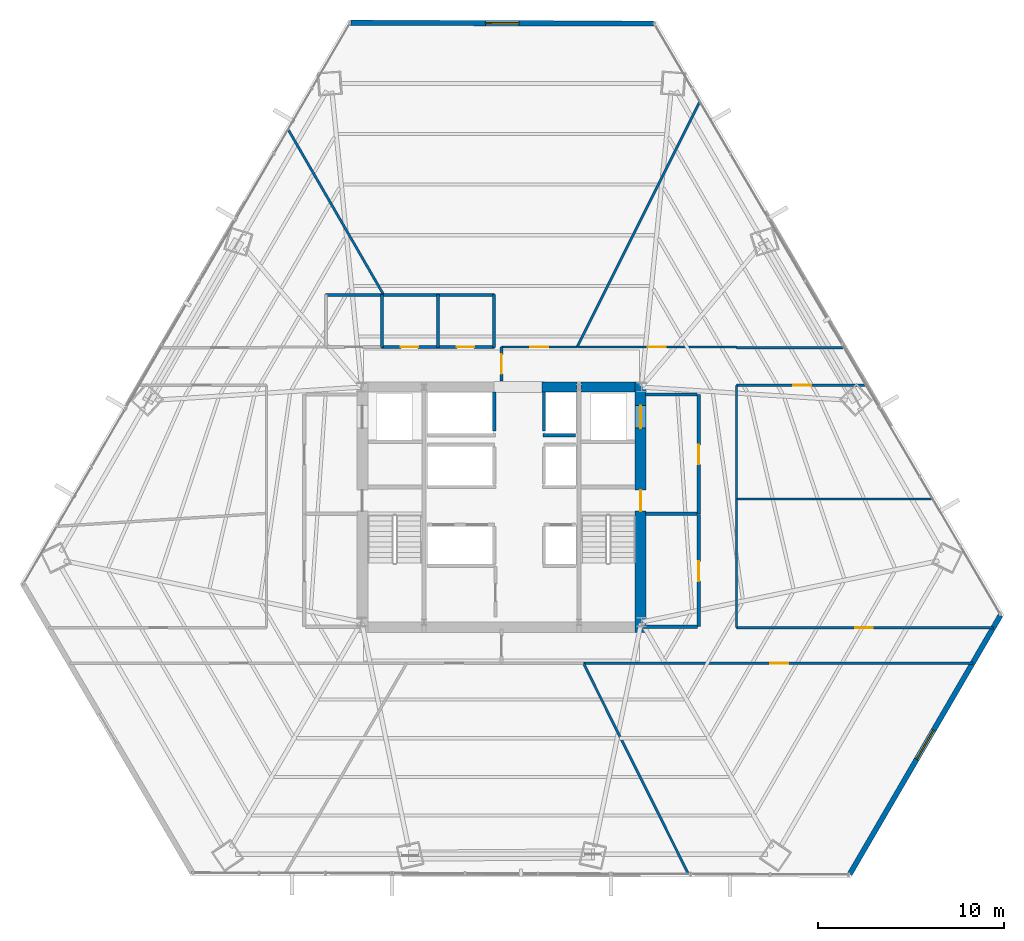
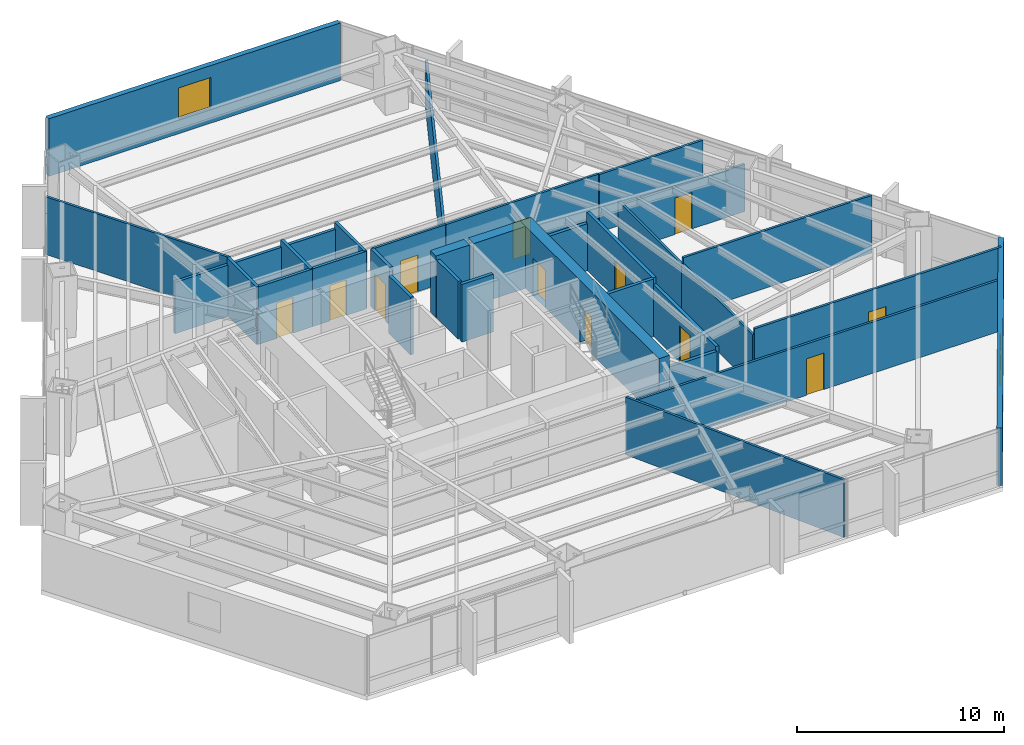
# One storey, part 25 of 29: 34 walls, 12 doors, 2 windows, 14 openings.
"""IFC4 building model written with IfcOpenShell, lengths in metres."""

from ifc_helpers import new_model, si_unit, direction, frame, frame_2d, origin, place, context, subcontext, project, spatial, rectangle, extrude, material, layer, layer_set, type_object, element, fill, save


model = new_model("IFC4")

# Units and contexts
model_context = context("Model", 3, precision=1e-05, world=origin(), true_north=direction((0.0, 1.0)))
body_context = subcontext(model_context, "Body", "Model", "MODEL_VIEW")
ifc_project = project(units=[si_unit("LENGTHUNIT", "METRE"), si_unit("AREAUNIT", "SQUARE_METRE"), si_unit("VOLUMEUNIT", "CUBIC_METRE"), si_unit("PLANEANGLEUNIT", "RADIAN"), si_unit("MASSUNIT", "GRAM", prefix="KILO")], contexts=[model_context])

# Site, building, storey
site_placement = place(None, origin())
site = spatial("IfcSite", under=ifc_project, at=site_placement, CompositionType="ELEMENT")
building_placement = place(site_placement, origin())
building = spatial("IfcBuilding", under=site, at=building_placement, Name="Caelisora Broadcast Tower", CompositionType="ELEMENT")
storey_placement = place(building_placement, frame((0.0, 0.0, 31.25)))
storey = spatial("IfcBuildingStorey", under=building, at=storey_placement, Name="L07", CompositionType="ELEMENT", Elevation=31.25)

# Wall, openings, doors
ifc_material_1 = material(Name="Concrete 65 MPa (AS 3600 S65)", Category="concrete")
ifc_layer_1 = layer(ifc_material_1, 0.60009765625, Name="Concrete 65 MPa (AS 3600 S65)")
ifc_layer_set_1 = layer_set([ifc_layer_1], Name="Concrete 65 MPa (AS 3600 S65)")
wall_type_1 = type_object("IfcWallType", Name="CW1", PredefinedType="SHEAR", material=ifc_layer_set_1)
wall_1_placement = place(storey_placement, frame((45.4599609375, 16.85009765625, 0.0), z_axis=(0.0, 0.0, 1.0), x_axis=(0.0, 1.0, 0.0)))
wall_1 = element("IfcWall", 1, at=wall_1_placement, inside=storey, type_object=wall_type_1, Name="L07 core shear wall CW1", PredefinedType="SHEAR", context=body_context, shape_type="SweptSolid", body=[
    extrude(rectangle(XDim=13.4248046875, YDim=0.60009765625, at=frame_2d((6.71240234375, 0.0))), origin(), (0.0, 0.0, 1.0), 3.64990234375),
])
opening_1_placement = place(wall_1_placement, frame((6.5, 0.0, 0.0)))
opening_1 = element("IfcOpeningElement", 2, at=opening_1_placement, cuts=wall_1, Name="Opening FD04", PredefinedType="OPENING", context=body_context, shape_type="SweptSolid", body=[
    extrude(rectangle(XDim=1.1201171875, YDim=2.14990234375, at=frame_2d((0.56005859375, 1.074951171875))), frame((0.0, 0.31201171875, 0.0), z_axis=(0.0, -1.0, 0.0), x_axis=(1.0, 0.0, 0.0)), (0.0, 0.0, 1.0), 0.6240234375),
])
opening_2_placement = place(wall_1_placement, frame((10.949951171875, 0.0, 0.0)))
opening_2 = element("IfcOpeningElement", 3, at=opening_2_placement, cuts=wall_1, Name="Opening LD04", PredefinedType="OPENING", context=body_context, shape_type="SweptSolid", body=[
    extrude(rectangle(XDim=1.199951171875, YDim=2.199951171875, at=frame_2d((0.60009765625, 1.10009765625))), frame((0.0, 0.31201171875, 0.0), z_axis=(0.0, -1.0, 0.0), x_axis=(1.0, 0.0, 0.0)), (0.0, 0.0, 1.0), 0.6240234375),
])
ifc_material_2 = material(Name="Pressurised Fire-Isolated Stair Door", Category="steel")
door_type_1 = type_object("IfcDoorType", Name="FD04", OperationType="NOTDEFINED", PredefinedType="DOOR", material=ifc_material_2)
door_1_placement = place(opening_1_placement, origin())
door_1 = element("IfcDoor", 4, at=door_1_placement, inside=storey, type_object=door_type_1, Name="L07 door FD04 (L07-DR-ST2)", OperationType="SINGLE_SWING_RIGHT", OverallHeight=2.14990234375, OverallWidth=1.1201171875, PredefinedType="DOOR", context=body_context, shape_type="SweptSolid", body=[
    extrude(rectangle(XDim=1.1201171875, YDim=2.14990234375, at=frame_2d((0.56005859375, 1.074951171875))), frame((0.0, 0.02490234375, 0.0), z_axis=(0.0, -1.0, 0.0), x_axis=(1.0, 0.0, 0.0)), (0.0, 0.0, 1.0), 0.050048828125),
])
fill(opening_1, door_1)
ifc_material_3 = material(Name="Emergency Firefighting Lift Sliding Landing Door", Category="steel")
door_type_2 = type_object("IfcDoorType", Name="LD04", OperationType="NOTDEFINED", PredefinedType="DOOR", material=ifc_material_3)
door_2_placement = place(opening_2_placement, origin())
door_2 = element("IfcDoor", 5, at=door_2_placement, inside=storey, type_object=door_type_2, Name="L07 door LD04 (L07-LD-FFL2)", OperationType="SLIDING_TO_RIGHT", OverallHeight=2.199951171875, OverallWidth=1.199951171875, PredefinedType="DOOR", context=body_context, shape_type="SweptSolid", body=[
    extrude(rectangle(XDim=1.199951171875, YDim=2.199951171875, at=frame_2d((0.60009765625, 1.10009765625))), frame((0.0, 0.02490234375, 0.0), z_axis=(0.0, -1.0, 0.0), x_axis=(1.0, 0.0, 0.0)), (0.0, 0.0, 1.0), 0.050048828125),
])
fill(opening_2, door_2)

# Walls
ifc_layer_2 = layer(ifc_material_1, 0.550048828125, Name="Concrete 65 MPa (AS 3600 S65)")
ifc_layer_set_2 = layer_set([ifc_layer_2], Name="Concrete 65 MPa (AS 3600 S65)")
wall_type_2 = type_object("IfcWallType", Name="CW4", PredefinedType="SHEAR", material=ifc_layer_set_2)
wall_2_placement = place(storey_placement, frame((40.159912109375, 30.0, 0.0), z_axis=(0.0, 0.0, 1.0), x_axis=(1.0, 0.0, 0.0)))
element("IfcWall", 6, at=wall_2_placement, inside=storey, type_object=wall_type_2, Name="L07 core shear wall CW4", PredefinedType="SHEAR", context=body_context, shape_type="SweptSolid", body=[
    extrude(rectangle(XDim=1.880126953125, YDim=0.550048828125, at=frame_2d((0.93994140625, 0.0))), origin(), (0.0, 0.0, 1.0), 3.64990234375),
])
wall_3_placement = place(storey_placement, frame((42.260009765625, 30.0, 0.0), z_axis=(0.0, 0.0, 1.0), x_axis=(1.0, 0.0, 0.0)))
element("IfcWall", 7, at=wall_3_placement, inside=storey, type_object=wall_type_2, Name="L07 core shear wall CW4", PredefinedType="SHEAR", context=body_context, shape_type="SweptSolid", body=[
    extrude(rectangle(XDim=2.89990234375, YDim=0.550048828125, at=frame_2d((1.449951171875, 0.0))), origin(), (0.0, 0.0, 1.0), 3.64990234375),
])

# Wall, opening, window
ifc_material_4 = material(Name="Insulated Terracotta Spandrel Wall System", Category="masonry")
ifc_layer_3 = layer(ifc_material_4, 0.280029296875, Name="Insulated Terracotta Spandrel Wall System")
ifc_layer_set_3 = layer_set([ifc_layer_3], Name="Insulated Terracotta Spandrel Wall System")
wall_type_3 = type_object("IfcWallType", Name="EW1", PredefinedType="STANDARD", material=ifc_layer_set_3)
wall_4_placement = place(storey_placement, frame((64.7568359375, 17.760986328125, 0.0), z_axis=(0.0, 0.0, 1.0), x_axis=(-0.50324318826, -0.864144833619, 0.0)))
wall_4 = element("IfcWall", 8, at=wall_4_placement, inside=storey, type_object=wall_type_3, Name="L07 exterior envelope wall EW1", PredefinedType="STANDARD", context=body_context, shape_type="SweptSolid", body=[
    extrude(rectangle(XDim=16.057373046875, YDim=0.280029296875, at=frame_2d((8.02880859375, 0.0))), origin(), (0.0, 0.0, 1.0), 3.39990234375),
])
opening_3_placement = place(wall_4_placement, frame((7.1298828125, 0.0, 0.89990234375)))
opening_3 = element("IfcOpeningElement", 9, at=opening_3_placement, cuts=wall_4, Name="Opening W01", PredefinedType="OPENING", context=body_context, shape_type="SweptSolid", body=[
    extrude(rectangle(XDim=1.800048828125, YDim=1.800048828125, at=frame_2d((0.89990234375, 0.89990234375))), frame((0.0, 0.152099609375, 0.0), z_axis=(0.0, -1.0, 0.0), x_axis=(1.0, 0.0, 0.0)), (0.0, 0.0, 1.0), 0.303955078125),
])
ifc_material_5 = material(Name="Double Glazed Terracotta-Framed Vision Window", Category="glass")
window_type = type_object("IfcWindowType", Name="W01", PartitioningType="SINGLE_PANEL", PredefinedType="WINDOW", material=ifc_material_5)
window_1_placement = place(opening_3_placement, origin())
window_1 = element("IfcWindow", 10, at=window_1_placement, inside=storey, type_object=window_type, Name="L07 window W01 (L07-WN-CH0)", OverallHeight=1.800048828125, OverallWidth=1.800048828125, PartitioningType="SINGLE_PANEL", PredefinedType="WINDOW", context=body_context, shape_type="SweptSolid", body=[
    extrude(rectangle(XDim=1.800048828125, YDim=1.800048828125, at=frame_2d((0.89990234375, 0.89990234375))), frame((0.0, 0.030029296875, 0.0), z_axis=(0.0, -1.0, 0.0), x_axis=(1.0, 0.0, 0.0)), (0.0, 0.0, 1.0), 0.06005859375),
])
fill(opening_3, window_1)

wall_5_placement = place(storey_placement, frame((29.9169921875, 49.534912109375, 0.0), z_axis=(0.0, 0.0, 1.0), x_axis=(0.999996176707, -0.00276524341, 0.0)))
wall_5 = element("IfcWall", 11, at=wall_5_placement, inside=storey, type_object=wall_type_3, Name="L07 exterior envelope wall EW1", PredefinedType="STANDARD", context=body_context, shape_type="SweptSolid", body=[
    extrude(rectangle(XDim=16.2451171875, YDim=0.280029296875, at=frame_2d((8.12255859375, 0.0))), origin(), (0.0, 0.0, 1.0), 3.39990234375),
])
opening_4_placement = place(wall_5_placement, frame((7.219970703125, 0.0, 0.89990234375)))
opening_4 = element("IfcOpeningElement", 12, at=opening_4_placement, cuts=wall_5, Name="Opening W01", PredefinedType="OPENING", context=body_context, shape_type="SweptSolid", body=[
    extrude(rectangle(XDim=1.800048828125, YDim=1.800048828125, at=frame_2d((0.89990234375, 0.89990234375))), frame((0.0, 0.152099609375, 0.0), z_axis=(0.0, -1.0, 0.0), x_axis=(1.0, 0.0, 0.0)), (0.0, 0.0, 1.0), 0.303955078125),
])
window_2_placement = place(opening_4_placement, origin())
window_2 = element("IfcWindow", 13, at=window_2_placement, inside=storey, type_object=window_type, Name="L07 window W01 (L07-WN-CH8)", OverallHeight=1.800048828125, OverallWidth=1.800048828125, PartitioningType="SINGLE_PANEL", PredefinedType="WINDOW", context=body_context, shape_type="SweptSolid", body=[
    extrude(rectangle(XDim=1.800048828125, YDim=1.800048828125, at=frame_2d((0.89990234375, 0.89990234375))), frame((0.0, 0.030029296875, 0.0), z_axis=(0.0, -1.0, 0.0), x_axis=(1.0, 0.0, 0.0)), (0.0, 0.0, 1.0), 0.06005859375),
])
fill(opening_4, window_2)

# Walls
ifc_material_6 = material(Name="Fire-Rated Gypsum Shaft and Compartment Wall", Category="gypsum")
ifc_layer_4 = layer(ifc_material_6, 0.179931640625, Name="Fire-Rated Gypsum Shaft and Compartment Wall")
ifc_layer_set_4 = layer_set([ifc_layer_4], Name="Fire-Rated Gypsum Shaft and Compartment Wall")
wall_type_4 = type_object("IfcWallType", Name="PW2", PredefinedType="PARTITIONING", material=ifc_layer_set_4)
wall_6_placement = place(storey_placement, frame((40.219970703125, 27.419921875, 0.0), z_axis=(0.0, 0.0, 1.0), x_axis=(1.0, 0.0, 0.0)))
element("IfcWall", 14, at=wall_6_placement, inside=storey, type_object=wall_type_4, Name="L07 fire compartment wall PW2", PredefinedType="PARTITIONING", context=body_context, shape_type="SweptSolid", body=[
    extrude(rectangle(XDim=1.760009765625, YDim=0.179931640625, at=frame_2d((0.8798828125, 0.0))), origin(), (0.0, 0.0, 1.0), 3.39990234375),
])
for number, where, z_axis, x_axis, name in (
    (15, (37.6201171875, 27.639892578125, 0.0), (0.0, 0.0, 1.0), (0.0, 1.0, 0.0), "L07 fire compartment wall PW2"),
    (16, (40.280029296875, 27.639892578125, 0.0), (0.0, 0.0, 1.0), (0.0, 1.0, 0.0), "L07 fire compartment wall PW2"),
):
    element("IfcWall", number, at=place(storey_placement, frame(where, z_axis=z_axis, x_axis=x_axis)), inside=storey, type_object=wall_type_4, Name=name, PredefinedType="PARTITIONING", context=body_context, shape_type="SweptSolid", body=[
        extrude(rectangle(XDim=2.110107421875, YDim=0.179931640625, at=frame_2d((1.05517578125, 0.0))), origin(), (0.0, 0.0, 1.0), 3.39990234375),
    ])

# Wall, opening, door
wall_7_placement = place(storey_placement, frame((48.580078125, 23.199951171875, 0.0), z_axis=(0.0, 0.0, 1.0), x_axis=(0.0, 1.0, 0.0)))
wall_7 = element("IfcWall", 17, at=wall_7_placement, inside=storey, type_object=wall_type_4, Name="L07 fire compartment wall PW2", PredefinedType="PARTITIONING", context=body_context, shape_type="SweptSolid", body=[
    extrude(rectangle(XDim=6.400146484375, YDim=0.179931640625, at=frame_2d((3.2001953125, 0.0))), origin(), (0.0, 0.0, 1.0), 3.39990234375),
])
opening_5_placement = place(wall_7_placement, frame((2.64990234375, 0.0, 0.0)))
opening_5 = element("IfcOpeningElement", 18, at=opening_5_placement, cuts=wall_7, Name="Opening FD02", PredefinedType="OPENING", context=body_context, shape_type="SweptSolid", body=[
    extrude(rectangle(XDim=1.050048828125, YDim=2.14990234375, at=frame_2d((0.52490234375, 1.074951171875))), frame((0.0, 0.10205078125, 0.0), z_axis=(0.0, -1.0, 0.0), x_axis=(1.0, 0.0, 0.0)), (0.0, 0.0, 1.0), 0.203857421875),
])
ifc_material_7 = material(Name="Single-Leaf Steel Fire Lobby Door", Category="steel")
door_type_3 = type_object("IfcDoorType", Name="FD02", OperationType="NOTDEFINED", PredefinedType="DOOR", material=ifc_material_7)
door_3_placement = place(opening_5_placement, origin())
door_3 = element("IfcDoor", 19, at=door_3_placement, inside=storey, type_object=door_type_3, Name="L07 door FD02 (L07-DR-P04D1)", OperationType="SINGLE_SWING_RIGHT", OverallHeight=2.14990234375, OverallWidth=1.050048828125, PredefinedType="DOOR", context=body_context, shape_type="SweptSolid", body=[
    extrude(rectangle(XDim=1.050048828125, YDim=2.14990234375, at=frame_2d((0.52490234375, 1.074951171875))), frame((0.0, 0.02490234375, 0.0), z_axis=(0.0, -1.0, 0.0), x_axis=(1.0, 0.0, 0.0)), (0.0, 0.0, 1.0), 0.050048828125),
])
fill(opening_5, door_3)

# Walls
wall_8_placement = place(storey_placement, frame((45.719970703125, 23.199951171875, 0.0), z_axis=(0.0, 0.0, 1.0), x_axis=(1.0, 0.0, 0.0)))
element("IfcWall", 20, at=wall_8_placement, inside=storey, type_object=wall_type_4, Name="L07 fire compartment wall PW2", PredefinedType="PARTITIONING", context=body_context, shape_type="SweptSolid", body=[
    extrude(rectangle(XDim=2.760009765625, YDim=0.179931640625, at=frame_2d((1.3798828125, 0.0))), origin(), (0.0, 0.0, 1.0), 3.39990234375),
])
wall_9_placement = place(storey_placement, frame((45.719970703125, 29.60009765625, 0.0), z_axis=(0.0, 0.0, 1.0), x_axis=(1.0, 0.0, 0.0)))
element("IfcWall", 21, at=wall_9_placement, inside=storey, type_object=wall_type_4, Name="L07 fire compartment wall PW2", PredefinedType="PARTITIONING", context=body_context, shape_type="SweptSolid", body=[
    extrude(rectangle(XDim=2.760009765625, YDim=0.179931640625, at=frame_2d((1.3798828125, 0.0))), origin(), (0.0, 0.0, 1.0), 2.78271484375),
])

# Wall, opening, door
wall_10_placement = place(storey_placement, frame((48.580078125, 17.14990234375, 0.0), z_axis=(0.0, 0.0, 1.0), x_axis=(0.0, 1.0, 0.0)))
wall_10 = element("IfcWall", 22, at=wall_10_placement, inside=storey, type_object=wall_type_4, Name="L07 fire compartment wall PW2", PredefinedType="PARTITIONING", context=body_context, shape_type="SweptSolid", body=[
    extrude(rectangle(XDim=6.030029296875, YDim=0.179931640625, at=frame_2d((3.01513671875, 0.0))), origin(), (0.0, 0.0, 1.0), 3.0263671875),
])
opening_6_placement = place(wall_10_placement, frame((2.449951171875, 0.0, 0.0)))
opening_6 = element("IfcOpeningElement", 23, at=opening_6_placement, cuts=wall_10, Name="Opening FD02", PredefinedType="OPENING", context=body_context, shape_type="SweptSolid", body=[
    extrude(rectangle(XDim=1.050048828125, YDim=2.14990234375, at=frame_2d((0.52490234375, 1.074951171875))), frame((0.0, 0.10205078125, 0.0), z_axis=(0.0, -1.0, 0.0), x_axis=(1.0, 0.0, 0.0)), (0.0, 0.0, 1.0), 0.203857421875),
])
door_4_placement = place(opening_6_placement, origin())
door_4 = element("IfcDoor", 24, at=door_4_placement, inside=storey, type_object=door_type_3, Name="L07 door FD02 (L07-DR-P14D1)", OperationType="SINGLE_SWING_LEFT", OverallHeight=2.14990234375, OverallWidth=1.050048828125, PredefinedType="DOOR", context=body_context, shape_type="SweptSolid", body=[
    extrude(rectangle(XDim=1.050048828125, YDim=2.14990234375, at=frame_2d((0.52490234375, 1.074951171875))), frame((0.0, 0.02490234375, 0.0), z_axis=(0.0, -1.0, 0.0), x_axis=(1.0, 0.0, 0.0)), (0.0, 0.0, 1.0), 0.050048828125),
])
fill(opening_6, door_4)

# Wall
wall_11_placement = place(storey_placement, frame((45.6201171875, 17.14990234375, 0.0), z_axis=(0.0, 0.0, 1.0), x_axis=(1.0, 0.0, 0.0)))
element("IfcWall", 25, at=wall_11_placement, inside=storey, type_object=wall_type_4, Name="L07 fire compartment wall PW2", PredefinedType="PARTITIONING", context=body_context, shape_type="SweptSolid", body=[
    extrude(rectangle(XDim=2.89990234375, YDim=0.179931640625, at=frame_2d((1.449951171875, 0.0))), origin(), (0.0, 0.0, 1.0), 2.78271484375),
])

# Wall, opening, door
wall_12_placement = place(storey_placement, frame((38.0, 30.320068359375, 0.0), z_axis=(0.0, 0.0, 1.0), x_axis=(0.0, 1.0, 0.0)))
wall_12 = element("IfcWall", 26, at=wall_12_placement, inside=storey, type_object=wall_type_4, Name="L07 fire compartment wall PW2", PredefinedType="PARTITIONING", context=body_context, shape_type="SweptSolid", body=[
    extrude(rectangle(XDim=1.824951171875, YDim=0.179931640625, at=frame_2d((0.91259765625, 0.0))), origin(), (0.0, 0.0, 1.0), 3.39990234375),
])
opening_7_placement = place(wall_12_placement, frame((0.387939453125, 0.0, 0.0)))
opening_7 = element("IfcOpeningElement", 27, at=opening_7_placement, cuts=wall_12, Name="Opening FD02", PredefinedType="OPENING", context=body_context, shape_type="SweptSolid", body=[
    extrude(rectangle(XDim=1.050048828125, YDim=2.14990234375, at=frame_2d((0.52490234375, 1.074951171875))), frame((0.0, 0.10205078125, 0.0), z_axis=(0.0, -1.0, 0.0), x_axis=(1.0, 0.0, 0.0)), (0.0, 0.0, 1.0), 0.203857421875),
])
door_5_placement = place(opening_7_placement, origin())
door_5 = element("IfcDoor", 28, at=door_5_placement, inside=storey, type_object=door_type_3, Name="L07 door FD02 (L07-DR-P50D1)", OperationType="SINGLE_SWING_RIGHT", OverallHeight=2.14990234375, OverallWidth=1.050048828125, PredefinedType="DOOR", context=body_context, shape_type="SweptSolid", body=[
    extrude(rectangle(XDim=1.050048828125, YDim=2.14990234375, at=frame_2d((0.52490234375, 1.074951171875))), frame((0.0, 0.02490234375, 0.0), z_axis=(0.0, -1.0, 0.0), x_axis=(1.0, 0.0, 0.0)), (0.0, 0.0, 1.0), 0.050048828125),
])
fill(opening_7, door_5)

ifc_material_8 = material(Name="Acoustic Steel-Stud Plasterboard Partition", Category="gypsum")
ifc_layer_5 = layer(ifc_material_8, 0.1298828125, Name="Acoustic Steel-Stud Plasterboard Partition")
ifc_layer_set_5 = layer_set([ifc_layer_5], Name="Acoustic Steel-Stud Plasterboard Partition")
wall_type_5 = type_object("IfcWallType", Name="PW3", PredefinedType="PARTITIONING", material=ifc_layer_set_5)
wall_13_placement = place(storey_placement, frame((42.39501953125, 15.199951171875, 0.0), z_axis=(0.0, 0.0, 1.0), x_axis=(1.0, 0.0, 0.0)))
wall_13 = element("IfcWall", 29, at=wall_13_placement, inside=storey, type_object=wall_type_5, Name="L07 internal partition PW3", PredefinedType="PARTITIONING", context=body_context, shape_type="SweptSolid", body=[
    extrude(rectangle(XDim=20.87646484375, YDim=0.1298828125, at=frame_2d((10.438232421875, 0.0))), origin(), (0.0, 0.0, 1.0), 3.0263671875),
])
opening_8_placement = place(wall_13_placement, frame((10.011962890625, 0.0, 0.0)))
opening_8 = element("IfcOpeningElement", 30, at=opening_8_placement, cuts=wall_13, Name="Opening D01", PredefinedType="OPENING", context=body_context, shape_type="SweptSolid", body=[
    extrude(rectangle(XDim=0.9599609375, YDim=2.14990234375, at=frame_2d((0.47998046875, 1.074951171875))), frame((0.0, 0.076904296875, 0.0), z_axis=(0.0, -1.0, 0.0), x_axis=(1.0, 0.0, 0.0)), (0.0, 0.0, 1.0), 0.15380859375),
])
ifc_material_9 = material(Name="Solid-Core Timber Acoustic Office Door", Category="wood")
door_type_4 = type_object("IfcDoorType", Name="D01", OperationType="NOTDEFINED", PredefinedType="DOOR", material=ifc_material_9)
door_6_placement = place(opening_8_placement, origin())
door_6 = element("IfcDoor", 31, at=door_6_placement, inside=storey, type_object=door_type_4, Name="L07 door D01 (L07-DR-P26D1)", OperationType="SINGLE_SWING_LEFT", OverallHeight=2.14990234375, OverallWidth=0.9599609375, PredefinedType="DOOR", context=body_context, shape_type="SweptSolid", body=[
    extrude(rectangle(XDim=0.9599609375, YDim=2.14990234375, at=frame_2d((0.47998046875, 1.074951171875))), frame((0.0, 0.02490234375, 0.0), z_axis=(0.0, -1.0, 0.0), x_axis=(1.0, 0.0, 0.0)), (0.0, 0.0, 1.0), 0.050048828125),
])
fill(opening_8, door_6)

# Wall
wall_14_placement = place(storey_placement, frame((42.06201171875, 32.154052734375, 0.0), z_axis=(0.0, 0.0, 1.0), x_axis=(0.446676229773, 0.894695672146, 0.0)))
element("IfcWall", 32, at=wall_14_placement, inside=storey, type_object=wall_type_5, Name="L07 internal partition PW3", PredefinedType="PARTITIONING", context=body_context, shape_type="SweptSolid", body=[
    extrude(rectangle(XDim=14.722412109375, YDim=0.1298828125, at=frame_2d((7.361328125, 0.0))), origin(), (0.0, 0.0, 1.0), 2.78271484375),
])

# Wall, opening, door
wall_15_placement = place(storey_placement, frame((64.378173828125, 17.10009765625, 0.0), z_axis=(0.0, 0.0, 1.0), x_axis=(-1.0, 0.0, 0.0)))
wall_15 = element("IfcWall", 33, at=wall_15_placement, inside=storey, type_object=wall_type_5, Name="L07 internal partition PW3", PredefinedType="PARTITIONING", context=body_context, shape_type="SweptSolid", body=[
    extrude(rectangle(XDim=13.773193359375, YDim=0.1298828125, at=frame_2d((6.88671875, 0.0))), origin(), (0.0, 0.0, 1.0), 3.39990234375),
])
opening_9_placement = place(wall_15_placement, frame((6.4619140625, 0.0, 0.0)))
opening_9 = element("IfcOpeningElement", 34, at=opening_9_placement, cuts=wall_15, Name="Opening D01", PredefinedType="OPENING", context=body_context, shape_type="SweptSolid", body=[
    extrude(rectangle(XDim=0.9599609375, YDim=2.14990234375, at=frame_2d((0.47998046875, 1.074951171875))), frame((0.0, 0.076904296875, 0.0), z_axis=(0.0, -1.0, 0.0), x_axis=(1.0, 0.0, 0.0)), (0.0, 0.0, 1.0), 0.15380859375),
])
door_7_placement = place(opening_9_placement, origin())
door_7 = element("IfcDoor", 35, at=door_7_placement, inside=storey, type_object=door_type_4, Name="L07 door D01 (L07-DR-P29D1)", OperationType="SINGLE_SWING_LEFT", OverallHeight=2.14990234375, OverallWidth=0.9599609375, PredefinedType="DOOR", context=body_context, shape_type="SweptSolid", body=[
    extrude(rectangle(XDim=0.9599609375, YDim=2.14990234375, at=frame_2d((0.47998046875, 1.074951171875))), frame((0.0, 0.02490234375, 0.0), z_axis=(0.0, -1.0, 0.0), x_axis=(1.0, 0.0, 0.0)), (0.0, 0.0, 1.0), 0.050048828125),
])
fill(opening_9, door_7)

# Walls
wall_16_placement = place(storey_placement, frame((42.39208984375, 15.196044921875, 0.0), z_axis=(0.0, 0.0, 1.0), x_axis=(0.445954332664, -0.895055715125, 0.0)))
element("IfcWall", 36, at=wall_16_placement, inside=storey, type_object=wall_type_5, Name="L07 internal partition PW3", PredefinedType="PARTITIONING", context=body_context, shape_type="SweptSolid", body=[
    extrude(rectangle(XDim=12.645263671875, YDim=0.1298828125, at=frame_2d((6.32275390625, 0.0))), origin(), (0.0, 0.0, 1.0), 3.39990234375),
])
wall_17_placement = place(storey_placement, frame((50.60498046875, 24.0, 0.0), z_axis=(0.0, 0.0, 1.0), x_axis=(1.0, 0.0, 0.0)))
element("IfcWall", 37, at=wall_17_placement, inside=storey, type_object=wall_type_5, Name="L07 internal partition PW3", PredefinedType="PARTITIONING", context=body_context, shape_type="SweptSolid", body=[
    extrude(rectangle(XDim=10.53173828125, YDim=0.1298828125, at=frame_2d((5.265869140625, 0.0))), origin(), (0.0, 0.0, 1.0), 3.39990234375),
])
wall_18_placement = place(storey_placement, frame((26.555419921875, 43.82421875, 0.0), z_axis=(0.0, 0.0, 1.0), x_axis=(0.500030569649, -0.86600775367, 0.0)))
element("IfcWall", 38, at=wall_18_placement, inside=storey, type_object=wall_type_5, Name="L07 internal partition PW3", PredefinedType="PARTITIONING", context=body_context, shape_type="SweptSolid", body=[
    extrude(rectangle(XDim=10.242431640625, YDim=0.1298828125, at=frame_2d((5.12109375, 0.0))), origin(), (0.0, 0.0, 1.0), 3.39990234375),
])

# Wall, opening, door
wall_19_placement = place(storey_placement, frame((42.06494140625, 32.14990234375, 0.0), z_axis=(0.0, 0.0, 1.0), x_axis=(1.0, 0.0, 0.0)))
wall_19 = element("IfcWall", 39, at=wall_19_placement, inside=storey, type_object=wall_type_5, Name="L07 internal partition PW3", PredefinedType="PARTITIONING", context=body_context, shape_type="SweptSolid", body=[
    extrude(rectangle(XDim=8.530029296875, YDim=0.1298828125, at=frame_2d((4.26513671875, 0.0))), origin(), (0.0, 0.0, 1.0), 3.39990234375),
])
opening_10_placement = place(wall_19_placement, frame((3.784912109375, 0.0, 0.0)))
opening_10 = element("IfcOpeningElement", 40, at=opening_10_placement, cuts=wall_19, Name="Opening D01", PredefinedType="OPENING", context=body_context, shape_type="SweptSolid", body=[
    extrude(rectangle(XDim=0.9599609375, YDim=2.14990234375, at=frame_2d((0.47998046875, 1.074951171875))), frame((0.0, 0.076904296875, 0.0), z_axis=(0.0, -1.0, 0.0), x_axis=(1.0, 0.0, 0.0)), (0.0, 0.0, 1.0), 0.15380859375),
])
door_8_placement = place(opening_10_placement, origin())
door_8 = element("IfcDoor", 41, at=door_8_placement, inside=storey, type_object=door_type_4, Name="L07 door D01 (L07-DR-P36D1)", OperationType="SINGLE_SWING_LEFT", OverallHeight=2.14990234375, OverallWidth=0.9599609375, PredefinedType="DOOR", context=body_context, shape_type="SweptSolid", body=[
    extrude(rectangle(XDim=0.9599609375, YDim=2.14990234375, at=frame_2d((0.47998046875, 1.074951171875))), frame((0.0, 0.02490234375, 0.0), z_axis=(0.0, -1.0, 0.0), x_axis=(1.0, 0.0, 0.0)), (0.0, 0.0, 1.0), 0.050048828125),
])
fill(opening_10, door_8)

wall_20_placement = place(storey_placement, frame((50.60498046875, 30.10009765625, 0.0), z_axis=(0.0, 0.0, 1.0), x_axis=(1.0, 0.0, 0.0)))
wall_20 = element("IfcWall", 42, at=wall_20_placement, inside=storey, type_object=wall_type_5, Name="L07 internal partition PW3", PredefinedType="PARTITIONING", context=body_context, shape_type="SweptSolid", body=[
    extrude(rectangle(XDim=6.956787109375, YDim=0.1298828125, at=frame_2d((3.478515625, 0.0))), origin(), (0.0, 0.0, 1.0), 2.78271484375),
])
opening_11_placement = place(wall_20_placement, frame((3.052978515625, 0.0, 0.0)))
opening_11 = element("IfcOpeningElement", 43, at=opening_11_placement, cuts=wall_20, Name="Opening D01", PredefinedType="OPENING", context=body_context, shape_type="SweptSolid", body=[
    extrude(rectangle(XDim=0.9599609375, YDim=2.14990234375, at=frame_2d((0.47998046875, 1.074951171875))), frame((0.0, 0.076904296875, 0.0), z_axis=(0.0, -1.0, 0.0), x_axis=(1.0, 0.0, 0.0)), (0.0, 0.0, 1.0), 0.15380859375),
])
door_9_placement = place(opening_11_placement, origin())
door_9 = element("IfcDoor", 44, at=door_9_placement, inside=storey, type_object=door_type_4, Name="L07 door D01 (L07-DR-P37D1)", OperationType="SINGLE_SWING_RIGHT", OverallHeight=2.14990234375, OverallWidth=0.9599609375, PredefinedType="DOOR", context=body_context, shape_type="SweptSolid", body=[
    extrude(rectangle(XDim=0.9599609375, YDim=2.14990234375, at=frame_2d((0.47998046875, 1.074951171875))), frame((0.0, 0.02490234375, 0.0), z_axis=(0.0, -1.0, 0.0), x_axis=(1.0, 0.0, 0.0)), (0.0, 0.0, 1.0), 0.050048828125),
])
fill(opening_11, door_9)

# Walls
wall_21_placement = place(storey_placement, frame((50.60009765625, 17.10498046875, 0.0), z_axis=(0.0, 0.0, 1.0), x_axis=(0.0, 1.0, 0.0)))
element("IfcWall", 45, at=wall_21_placement, inside=storey, type_object=wall_type_5, Name="L07 internal partition PW3", PredefinedType="PARTITIONING", context=body_context, shape_type="SweptSolid", body=[
    extrude(rectangle(XDim=6.89013671875, YDim=0.1298828125, at=frame_2d((3.445068359375, 0.0))), origin(), (0.0, 0.0, 1.0), 3.0263671875),
])
wall_22_placement = place(storey_placement, frame((50.60009765625, 24.0048828125, 0.0), z_axis=(0.0, 0.0, 1.0), x_axis=(0.0, 1.0, 0.0)))
element("IfcWall", 46, at=wall_22_placement, inside=storey, type_object=wall_type_5, Name="L07 internal partition PW3", PredefinedType="PARTITIONING", context=body_context, shape_type="SweptSolid", body=[
    extrude(rectangle(XDim=6.090087890625, YDim=0.1298828125, at=frame_2d((3.044921875, 0.0))), origin(), (0.0, 0.0, 1.0), 3.0263671875),
])
wall_23_placement = place(storey_placement, frame((50.60498046875, 32.10009765625, 0.0), z_axis=(0.0, 0.0, 1.0), x_axis=(1.0, 0.0, 0.0)))
element("IfcWall", 47, at=wall_23_placement, inside=storey, type_object=wall_type_5, Name="L07 internal partition PW3", PredefinedType="PARTITIONING", context=body_context, shape_type="SweptSolid", body=[
    extrude(rectangle(XDim=5.78466796875, YDim=0.1298828125, at=frame_2d((2.892333984375, 0.0))), origin(), (0.0, 0.0, 1.0), 3.39990234375),
])

# Wall, opening, door
wall_24_placement = place(storey_placement, frame((38.0048828125, 32.14990234375, 0.0), z_axis=(0.0, 0.0, 1.0), x_axis=(1.0, 0.0, 0.0)))
wall_24 = element("IfcWall", 48, at=wall_24_placement, inside=storey, type_object=wall_type_5, Name="L07 internal partition PW3", PredefinedType="PARTITIONING", context=body_context, shape_type="SweptSolid", body=[
    extrude(rectangle(XDim=4.050048828125, YDim=0.1298828125, at=frame_2d((2.02490234375, 0.0))), origin(), (0.0, 0.0, 1.0), 3.39990234375),
])
opening_12_placement = place(wall_24_placement, frame((1.544921875, 0.0, 0.0)))
opening_12 = element("IfcOpeningElement", 49, at=opening_12_placement, cuts=wall_24, Name="Opening D01", PredefinedType="OPENING", context=body_context, shape_type="SweptSolid", body=[
    extrude(rectangle(XDim=0.9599609375, YDim=2.14990234375, at=frame_2d((0.47998046875, 1.074951171875))), frame((0.0, 0.076904296875, 0.0), z_axis=(0.0, -1.0, 0.0), x_axis=(1.0, 0.0, 0.0)), (0.0, 0.0, 1.0), 0.15380859375),
])
door_10_placement = place(opening_12_placement, origin())
door_10 = element("IfcDoor", 50, at=door_10_placement, inside=storey, type_object=door_type_4, Name="L07 door D01 (L07-DR-P47D1)", OperationType="SINGLE_SWING_RIGHT", OverallHeight=2.14990234375, OverallWidth=0.9599609375, PredefinedType="DOOR", context=body_context, shape_type="SweptSolid", body=[
    extrude(rectangle(XDim=0.9599609375, YDim=2.14990234375, at=frame_2d((0.47998046875, 1.074951171875))), frame((0.0, 0.02490234375, 0.0), z_axis=(0.0, -1.0, 0.0), x_axis=(1.0, 0.0, 0.0)), (0.0, 0.0, 1.0), 0.050048828125),
])
fill(opening_12, door_10)

ifc_material_10 = material(Name="Moisture-Resistant Wet Plumbing Service Wall", Category="gypsum")
ifc_layer_6 = layer(ifc_material_10, 0.159912109375, Name="Moisture-Resistant Wet Plumbing Service Wall")
ifc_layer_set_6 = layer_set([ifc_layer_6], Name="Moisture-Resistant Wet Plumbing Service Wall")
wall_type_6 = type_object("IfcWallType", Name="PW4", PredefinedType="PLUMBINGWALL", material=ifc_layer_set_6)
wall_25_placement = place(storey_placement, frame((31.574951171875, 32.14990234375, 0.0), z_axis=(0.0, 0.0, 1.0), x_axis=(1.0, 0.0, 0.0)))
wall_25 = element("IfcWall", 51, at=wall_25_placement, inside=storey, type_object=wall_type_6, Name="L07 wet plumbing wall PW4", PredefinedType="PLUMBINGWALL", context=body_context, shape_type="SweptSolid", body=[
    extrude(rectangle(XDim=3.050048828125, YDim=0.159912109375, at=frame_2d((1.52490234375, 0.0))), origin(), (0.0, 0.0, 1.0), 3.39990234375),
])
opening_13_placement = place(wall_25_placement, frame((1.034912109375, 0.0, 0.0)))
opening_13 = element("IfcOpeningElement", 52, at=opening_13_placement, cuts=wall_25, Name="Opening D03", PredefinedType="OPENING", context=body_context, shape_type="SweptSolid", body=[
    extrude(rectangle(XDim=0.919921875, YDim=2.10009765625, at=frame_2d((0.4599609375, 1.050048828125))), frame((0.0, 0.092041015625, 0.0), z_axis=(0.0, -1.0, 0.0), x_axis=(1.0, 0.0, 0.0)), (0.0, 0.0, 1.0), 0.183837890625),
])
ifc_material_11 = material(Name="Laminate Moisture-Resistant Amenity WC Door", Category="wood")
door_type_5 = type_object("IfcDoorType", Name="D03", OperationType="NOTDEFINED", PredefinedType="DOOR", material=ifc_material_11)
door_11_placement = place(opening_13_placement, origin())
door_11 = element("IfcDoor", 53, at=door_11_placement, inside=storey, type_object=door_type_5, Name="L07 door D03 (L07-DR-P17D1)", OperationType="SINGLE_SWING_LEFT", OverallHeight=2.10009765625, OverallWidth=0.919921875, PredefinedType="DOOR", context=body_context, shape_type="SweptSolid", body=[
    extrude(rectangle(XDim=0.919921875, YDim=2.10009765625, at=frame_2d((0.4599609375, 1.050048828125))), frame((0.0, 0.02490234375, 0.0), z_axis=(0.0, -1.0, 0.0), x_axis=(1.0, 0.0, 0.0)), (0.0, 0.0, 1.0), 0.050048828125),
])
fill(opening_13, door_11)

wall_26_placement = place(storey_placement, frame((34.574951171875, 32.14990234375, 0.0), z_axis=(0.0, 0.0, 1.0), x_axis=(1.0, 0.0, 0.0)))
wall_26 = element("IfcWall", 54, at=wall_26_placement, inside=storey, type_object=wall_type_6, Name="L07 wet plumbing wall PW4", PredefinedType="PLUMBINGWALL", context=body_context, shape_type="SweptSolid", body=[
    extrude(rectangle(XDim=3.050048828125, YDim=0.159912109375, at=frame_2d((1.52490234375, 0.0))), origin(), (0.0, 0.0, 1.0), 3.39990234375),
])
opening_14_placement = place(wall_26_placement, frame((1.034912109375, 0.0, 0.0)))
opening_14 = element("IfcOpeningElement", 55, at=opening_14_placement, cuts=wall_26, Name="Opening D03", PredefinedType="OPENING", context=body_context, shape_type="SweptSolid", body=[
    extrude(rectangle(XDim=0.919921875, YDim=2.10009765625, at=frame_2d((0.4599609375, 1.050048828125))), frame((0.0, 0.092041015625, 0.0), z_axis=(0.0, -1.0, 0.0), x_axis=(1.0, 0.0, 0.0)), (0.0, 0.0, 1.0), 0.183837890625),
])
door_12_placement = place(opening_14_placement, origin())
door_12 = element("IfcDoor", 56, at=door_12_placement, inside=storey, type_object=door_type_5, Name="L07 door D03 (L07-DR-P18D1)", OperationType="SINGLE_SWING_RIGHT", OverallHeight=2.10009765625, OverallWidth=0.919921875, PredefinedType="DOOR", context=body_context, shape_type="SweptSolid", body=[
    extrude(rectangle(XDim=0.919921875, YDim=2.10009765625, at=frame_2d((0.4599609375, 1.050048828125))), frame((0.0, 0.02490234375, 0.0), z_axis=(0.0, -1.0, 0.0), x_axis=(1.0, 0.0, 0.0)), (0.0, 0.0, 1.0), 0.050048828125),
])
fill(opening_14, door_12)

# Walls
for number, where, z_axis, x_axis, name in (
    (57, (28.574951171875, 34.949951171875, 0.0), (0.0, 0.0, 1.0), (1.0, 0.0, 0.0), "L07 wet plumbing wall PW4"),
    (58, (37.625, 34.949951171875, 0.0), (0.0, 0.0, 1.0), (-1.0, 0.0, 0.0), "L07 wet plumbing wall PW4"),
):
    element("IfcWall", number, at=place(storey_placement, frame(where, z_axis=z_axis, x_axis=x_axis)), inside=storey, type_object=wall_type_6, Name=name, PredefinedType="PLUMBINGWALL", context=body_context, shape_type="SweptSolid", body=[
        extrude(rectangle(XDim=3.050048828125, YDim=0.159912109375, at=frame_2d((1.52490234375, 0.0))), origin(), (0.0, 0.0, 1.0), 3.0263671875),
    ])
wall_27_placement = place(storey_placement, frame((31.655029296875, 34.949951171875, 0.0), z_axis=(0.0, 0.0, 1.0), x_axis=(1.0, 0.0, 0.0)))
element("IfcWall", 59, at=wall_27_placement, inside=storey, type_object=wall_type_6, Name="L07 wet plumbing wall PW4", PredefinedType="PLUMBINGWALL", context=body_context, shape_type="SweptSolid", body=[
    extrude(rectangle(XDim=2.969970703125, YDim=0.159912109375, at=frame_2d((1.48486328125, 0.0))), origin(), (0.0, 0.0, 1.0), 3.0263671875),
])
for number, where, z_axis, x_axis, name in (
    (60, (31.60009765625, 32.125, 0.0), (0.0, 0.0, 1.0), (0.0, 1.0, 0.0), "L07 wet plumbing wall PW4"),
    (61, (34.60009765625, 32.125, 0.0), (0.0, 0.0, 1.0), (0.0, 1.0, 0.0), "L07 wet plumbing wall PW4"),
    (62, (37.60009765625, 32.125, 0.0), (0.0, 0.0, 1.0), (0.0, 1.0, 0.0), "L07 wet plumbing wall PW4"),
):
    element("IfcWall", number, at=place(storey_placement, frame(where, z_axis=z_axis, x_axis=x_axis)), inside=storey, type_object=wall_type_6, Name=name, PredefinedType="PLUMBINGWALL", context=body_context, shape_type="SweptSolid", body=[
        extrude(rectangle(XDim=2.85009765625, YDim=0.159912109375, at=frame_2d((1.425048828125, 0.0))), origin(), (0.0, 0.0, 1.0), 3.39990234375),
    ])

save(model, "model.ifc")
